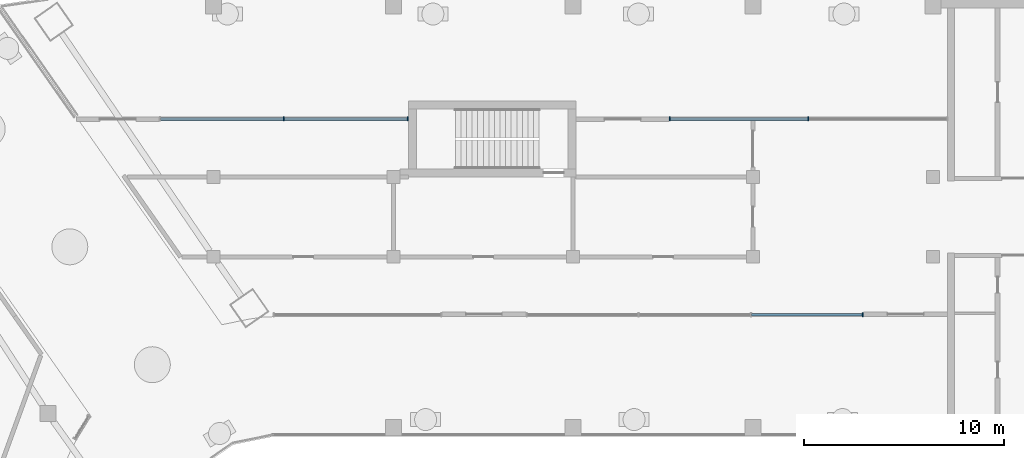
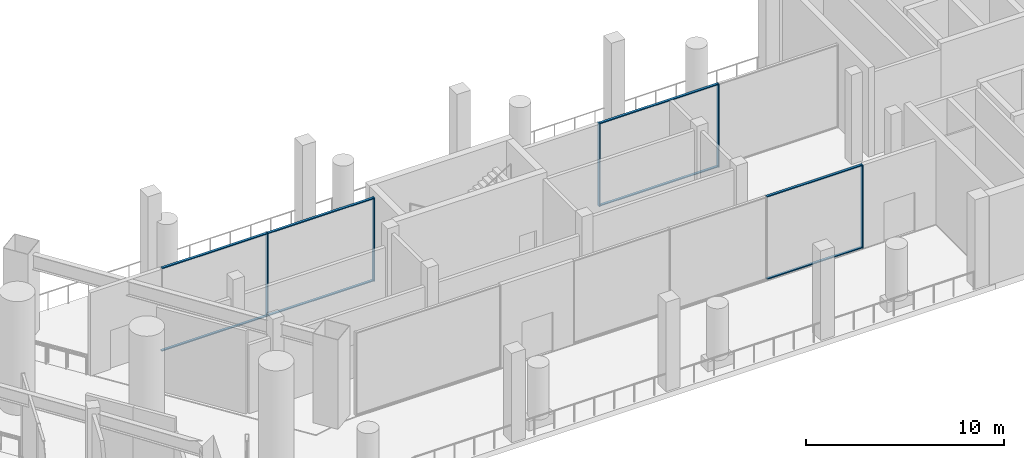
# One storey, part 4 of 17: 13 members, 3 elements without a shape of their own.
"""IFC4 building model written with IfcOpenShell, lengths in metres."""

from ifc_helpers import new_model, si_unit, direction, frame, origin, origin_2d, place, context, subcontext, project, spatial, rectangle, extrude, material, material_profile, profile_set, type_object, element, aggregate, save


model = new_model("IFC4")

# Units and contexts
model_context = context("Model", 3, precision=1e-05, world=origin(), true_north=direction((0.0, 1.0)))
body_context = subcontext(model_context, "Body", "Model", "MODEL_VIEW")
ifc_project = project(units=[si_unit("LENGTHUNIT", "METRE"), si_unit("AREAUNIT", "SQUARE_METRE"), si_unit("VOLUMEUNIT", "CUBIC_METRE"), si_unit("PLANEANGLEUNIT", "RADIAN"), si_unit("MASSUNIT", "GRAM", prefix="KILO")], contexts=[model_context])

# Site, building, storey
site_placement = place(None, origin())
site = spatial("IfcSite", under=ifc_project, at=site_placement, CompositionType="ELEMENT")
building_placement = place(site_placement, origin())
building = spatial("IfcBuilding", under=site, at=building_placement, Name="Skarvind Civic Tower", CompositionType="ELEMENT")
storey_placement = place(building_placement, frame((0.0, 0.0, 182.5)))
storey = spatial("IfcBuildingStorey", under=building, at=storey_placement, Name="L43", CompositionType="ELEMENT", Elevation=182.5)

# Curtain wall, members
ifc_material_1 = material(Name="Aluminium alloy 6063 and laminated glass", Category="aluminium")
curtain_wall_type = type_object("IfcCurtainWallType", Name="CW3 SEPARATOR INNER GLAZING", PredefinedType="NOTDEFINED", material=ifc_material_1)
curtain_wall_1_placement = place(storey_placement, origin())
curtain_wall_1 = element("IfcCurtainWall", 1, at=curtain_wall_1_placement, inside=storey, type_object=curtain_wall_type, Name="SEPARATOR INNER GLAZING", PredefinedType="NOTDEFINED")
ifc_material_2 = material(Name="Aluminium alloy 6063", Category="aluminium")
ifc_material_profile_1 = material_profile(ifc_material_2, rectangle(XDim=0.199951171875, YDim=0.06005859375, at=origin_2d()), Name="AL 60x200")
ifc_profile_set_1 = profile_set([ifc_material_profile_1], Name="Aluminium alloy 6063")
member_type_1 = type_object("IfcMemberType", Name="CW3 MULLION 60x200", PredefinedType="MULLION", material=ifc_profile_set_1)
member_1_placement = place(storey_placement, frame((57.768310546875, 132.89990234375, 0.0), z_axis=(0.0, 0.0, 1.0), x_axis=(0.0, 1.0, 0.0)))
member_1 = element("IfcMember", 2, at=member_1_placement, type_object=member_type_1, Name="CW3 mullion 2", PredefinedType="MULLION", context=body_context, shape_type="SweptSolid", body=[
    extrude(rectangle(XDim=0.199951171875, YDim=0.06005859375, at=origin_2d()), origin(), (0.0, 0.0, 1.0), 5.125),
])
member_2_placement = place(storey_placement, frame((63.969970703125, 132.89990234375, 0.0), z_axis=(0.0, 0.0, 1.0), x_axis=(0.0, 1.0, 0.0)))
member_2 = element("IfcMember", 3, at=member_2_placement, type_object=member_type_1, Name="CW3 mullion 3", PredefinedType="MULLION", context=body_context, shape_type="SweptSolid", body=[
    extrude(rectangle(XDim=0.199951171875, YDim=0.06005859375, at=origin_2d()), origin(), (0.0, 0.0, 1.0), 5.125),
])

# Curtain wall, member
curtain_wall_2_placement = place(storey_placement, origin())
curtain_wall_2 = element("IfcCurtainWall", 4, at=curtain_wall_2_placement, inside=storey, type_object=curtain_wall_type, Name="SEPARATOR INNER GLAZING", PredefinedType="NOTDEFINED")
member_3_placement = place(storey_placement, frame((86.74951171875, 123.10009765625, 0.0), z_axis=(0.0, 0.0, 1.0), x_axis=(0.0, -1.0, 0.0)))
member_3 = element("IfcMember", 5, at=member_3_placement, type_object=member_type_1, Name="CW3 mullion 1", PredefinedType="MULLION", context=body_context, shape_type="SweptSolid", body=[
    extrude(rectangle(XDim=0.199951171875, YDim=0.06005859375, at=origin_2d()), origin(), (0.0, 0.0, 1.0), 5.125),
])

# Curtain wall, members
curtain_wall_3_placement = place(storey_placement, origin())
curtain_wall_3 = element("IfcCurtainWall", 6, at=curtain_wall_3_placement, inside=storey, type_object=curtain_wall_type, Name="SEPARATOR INNER GLAZING", PredefinedType="NOTDEFINED")
member_4_placement = place(storey_placement, frame((77.080078125, 132.89990234375, 0.0), z_axis=(0.0, 0.0, 1.0), x_axis=(0.0, 1.0, 0.0)))
member_4 = element("IfcMember", 7, at=member_4_placement, type_object=member_type_1, Name="CW3 mullion 1", PredefinedType="MULLION", context=body_context, shape_type="SweptSolid", body=[
    extrude(rectangle(XDim=0.199951171875, YDim=0.06005859375, at=origin_2d()), origin(), (0.0, 0.0, 1.0), 5.125),
])
member_5_placement = place(storey_placement, frame((84.02490234375, 132.89990234375, 0.0), z_axis=(0.0, 0.0, 1.0), x_axis=(0.0, 1.0, 0.0)))
member_5 = element("IfcMember", 8, at=member_5_placement, type_object=member_type_1, Name="CW3 mullion 2", PredefinedType="MULLION", context=body_context, shape_type="SweptSolid", body=[
    extrude(rectangle(XDim=0.199951171875, YDim=0.06005859375, at=origin_2d()), origin(), (0.0, 0.0, 1.0), 5.125),
])

# Member
ifc_material_profile_2 = material_profile(ifc_material_2, rectangle(XDim=0.139892578125, YDim=0.06005859375, at=origin_2d()), Name="AL 60x140")
ifc_profile_set_2 = profile_set([ifc_material_profile_2], Name="Aluminium alloy 6063")
member_type_2 = type_object("IfcMemberType", Name="CW3 TRANSOM 60x140", PredefinedType="USERDEFINED", material=ifc_profile_set_2)
member_6_placement = place(storey_placement, frame((51.5966796875, 132.89990234375, 0.030029296875), z_axis=(1.0, 0.0, 0.0), x_axis=(0.0, 1.0, 0.0)))
member_6 = element("IfcMember", 9, at=member_6_placement, type_object=member_type_2, Name="CW3 transom 1.1", ObjectType="TRANSOM", PredefinedType="USERDEFINED", context=body_context, shape_type="SweptSolid", body=[
    extrude(rectangle(XDim=0.139892578125, YDim=0.06005859375, at=origin_2d()), origin(), (0.0, 0.0, 1.0), 6.1416015625),
])

member_7_placement = place(storey_placement, frame((51.5966796875, 132.89990234375, 5.094970703125), z_axis=(1.0, 0.0, 0.0), x_axis=(0.0, 1.0, 0.0)))
member_7 = element("IfcMember", 10, at=member_7_placement, type_object=member_type_2, Name="CW3 transom 1.2", ObjectType="TRANSOM", PredefinedType="USERDEFINED", context=body_context, shape_type="SweptSolid", body=[
    extrude(rectangle(XDim=0.139892578125, YDim=0.06005859375, at=origin_2d()), origin(), (0.0, 0.0, 1.0), 6.1416015625),
])

member_8_placement = place(storey_placement, frame((57.79833984375, 132.89990234375, 0.030029296875), z_axis=(1.0, 0.0, 0.0), x_axis=(0.0, 1.0, 0.0)))
member_8 = element("IfcMember", 11, at=member_8_placement, type_object=member_type_2, Name="CW3 transom 2.1", ObjectType="TRANSOM", PredefinedType="USERDEFINED", context=body_context, shape_type="SweptSolid", body=[
    extrude(rectangle(XDim=0.139892578125, YDim=0.06005859375, at=origin_2d()), origin(), (0.0, 0.0, 1.0), 6.1416015625),
])

member_9_placement = place(storey_placement, frame((57.79833984375, 132.89990234375, 5.094970703125), z_axis=(1.0, 0.0, 0.0), x_axis=(0.0, 1.0, 0.0)))
member_9 = element("IfcMember", 12, at=member_9_placement, type_object=member_type_2, Name="CW3 transom 2.2", ObjectType="TRANSOM", PredefinedType="USERDEFINED", context=body_context, shape_type="SweptSolid", body=[
    extrude(rectangle(XDim=0.139892578125, YDim=0.06005859375, at=origin_2d()), origin(), (0.0, 0.0, 1.0), 6.1416015625),
])

aggregate(curtain_wall_1, [member_1, member_2, member_6, member_7, member_8, member_9])

member_10_placement = place(storey_placement, frame((86.719482421875, 123.10009765625, 0.030029296875), z_axis=(-1.0, 0.0, 0.0), x_axis=(0.0, -1.0, 0.0)))
member_10 = element("IfcMember", 13, at=member_10_placement, type_object=member_type_2, Name="CW3 transom 1.1", ObjectType="TRANSOM", PredefinedType="USERDEFINED", context=body_context, shape_type="SweptSolid", body=[
    extrude(rectangle(XDim=0.139892578125, YDim=0.06005859375, at=origin_2d()), origin(), (0.0, 0.0, 1.0), 5.53759765625),
])

member_11_placement = place(storey_placement, frame((86.719482421875, 123.10009765625, 5.094970703125), z_axis=(-1.0, 0.0, 0.0), x_axis=(0.0, -1.0, 0.0)))
member_11 = element("IfcMember", 14, at=member_11_placement, type_object=member_type_2, Name="CW3 transom 1.2", ObjectType="TRANSOM", PredefinedType="USERDEFINED", context=body_context, shape_type="SweptSolid", body=[
    extrude(rectangle(XDim=0.139892578125, YDim=0.06005859375, at=origin_2d()), origin(), (0.0, 0.0, 1.0), 5.53759765625),
])

aggregate(curtain_wall_2, [member_3, member_10, member_11])

member_12_placement = place(storey_placement, frame((77.110107421875, 132.89990234375, 0.030029296875), z_axis=(1.0, 0.0, 0.0), x_axis=(0.0, 1.0, 0.0)))
member_12 = element("IfcMember", 15, at=member_12_placement, type_object=member_type_2, Name="CW3 transom 1.1", ObjectType="TRANSOM", PredefinedType="USERDEFINED", context=body_context, shape_type="SweptSolid", body=[
    extrude(rectangle(XDim=0.139892578125, YDim=0.06005859375, at=origin_2d()), origin(), (0.0, 0.0, 1.0), 6.885009765625),
])

member_13_placement = place(storey_placement, frame((77.110107421875, 132.89990234375, 5.094970703125), z_axis=(1.0, 0.0, 0.0), x_axis=(0.0, 1.0, 0.0)))
member_13 = element("IfcMember", 16, at=member_13_placement, type_object=member_type_2, Name="CW3 transom 1.2", ObjectType="TRANSOM", PredefinedType="USERDEFINED", context=body_context, shape_type="SweptSolid", body=[
    extrude(rectangle(XDim=0.139892578125, YDim=0.06005859375, at=origin_2d()), origin(), (0.0, 0.0, 1.0), 6.885009765625),
])

aggregate(curtain_wall_3, [member_4, member_5, member_12, member_13])

save(model, "model.ifc")
